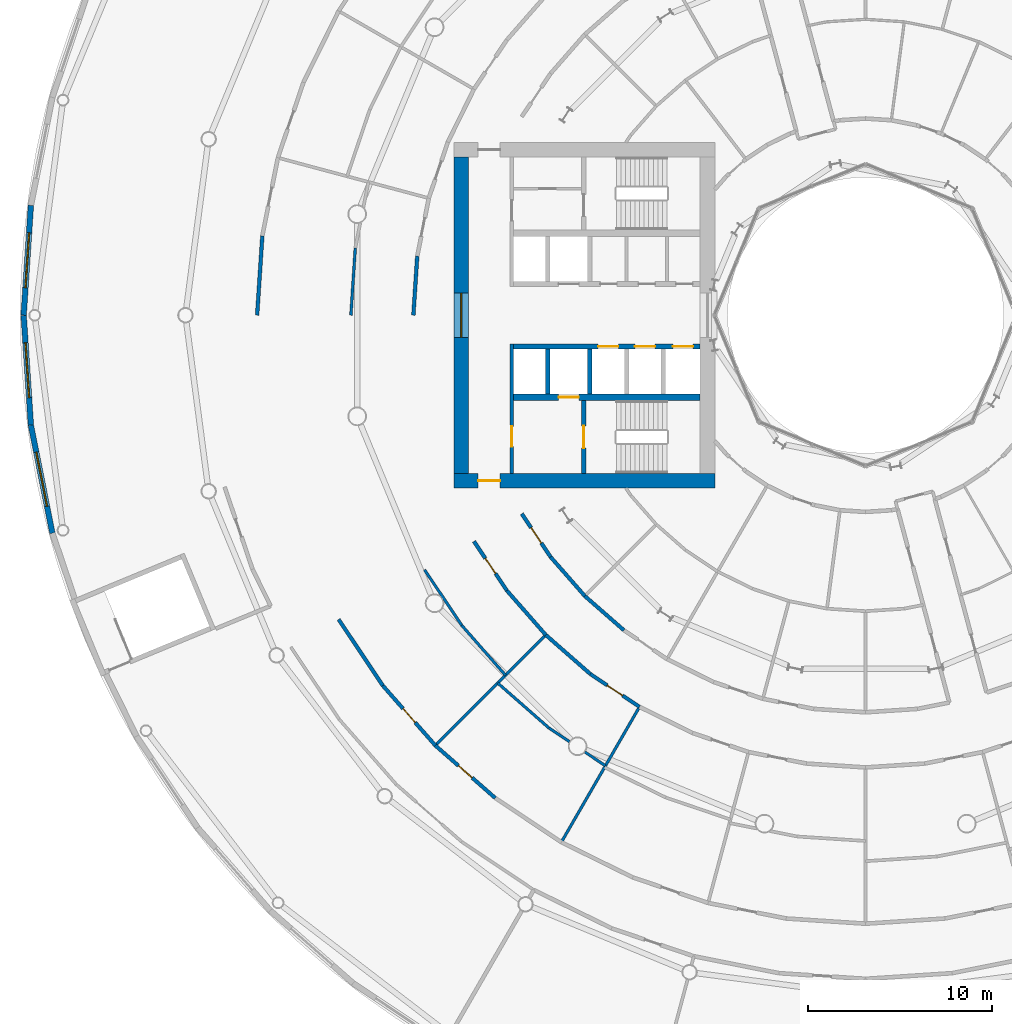
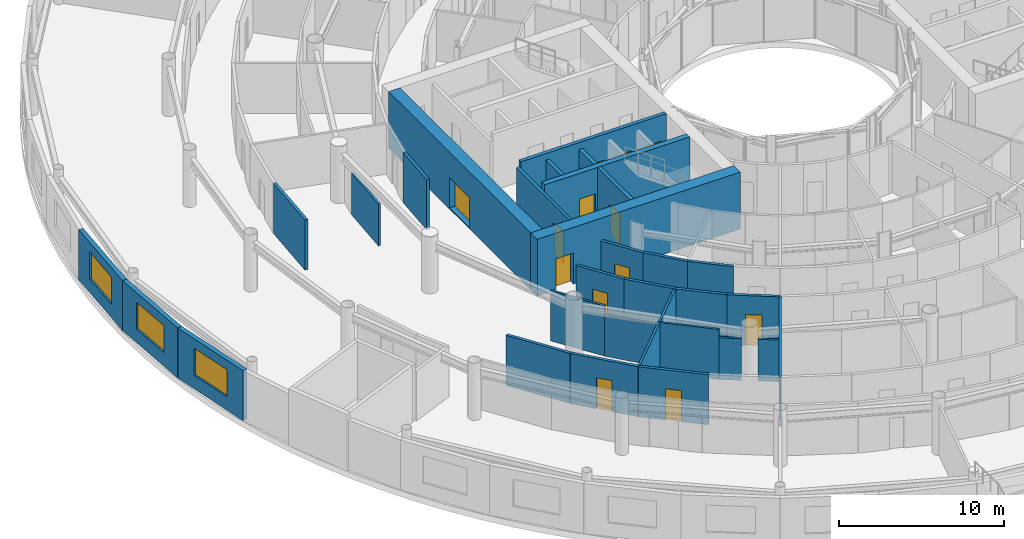
# One storey, part 14 of 29: 31 walls, 12 doors, 4 windows, 16 openings.
"""IFC4 building model written with IfcOpenShell, lengths in metres."""

from ifc_helpers import new_model, si_unit, direction, frame, frame_2d, origin, place, context, subcontext, project, spatial, rectangle, extrude, material, layer, layer_set, type_object, element, fill, save


model = new_model("IFC4")

# Units and contexts
model_context = context("Model", 3, precision=1e-05, world=origin(), true_north=direction((0.0, 1.0)))
body_context = subcontext(model_context, "Body", "Model", "MODEL_VIEW")
ifc_project = project(units=[si_unit("LENGTHUNIT", "METRE"), si_unit("AREAUNIT", "SQUARE_METRE"), si_unit("VOLUMEUNIT", "CUBIC_METRE"), si_unit("PLANEANGLEUNIT", "RADIAN"), si_unit("MASSUNIT", "GRAM", prefix="KILO")], contexts=[model_context])

# Site, building, storey
site_placement = place(None, origin())
site = spatial("IfcSite", under=ifc_project, at=site_placement, CompositionType="ELEMENT")
building_placement = place(site_placement, origin())
building = spatial("IfcBuilding", under=site, at=building_placement, Name="Maasbend Ring Residences", CompositionType="ELEMENT")
storey_placement = place(building_placement, frame((0.0, 0.0, 5.39990234375)))
storey = spatial("IfcBuildingStorey", under=building, at=storey_placement, Name="L01", CompositionType="ELEMENT", Elevation=5.39990234375)

# Wall, openings, doors
ifc_material_1 = material(Name="Concrete C70/85", Category="concrete")
ifc_layer_1 = layer(ifc_material_1, 0.25)
ifc_layer_set_1 = layer_set([ifc_layer_1], Name="Concrete C70/85")
wall_type_1 = type_object("IfcWallType", Name="CORE WALL 250 C70/85", PredefinedType="SHEAR", material=ifc_layer_set_1)
wall_1_placement = place(storey_placement, frame((-9.0, -1.699951171875, 0.0), z_axis=(0.0, 0.0, 1.0), x_axis=(-1.0, 0.0, 0.0)))
wall_1 = element("IfcWall", 1, at=wall_1_placement, inside=storey, type_object=wall_type_1, Name="L01 core W wall SPN", PredefinedType="SHEAR", context=body_context, shape_type="SweptSolid", body=[
    extrude(rectangle(XDim=10.14990234375, YDim=0.25, at=frame_2d((5.074951171875, 0.0))), origin(), (0.0, 0.0, 1.0), 4.2001953125),
])
opening_1_placement = place(wall_1_placement, frame((0.387451171875, 0.0, 0.0)))
opening_1 = element("IfcOpeningElement", 2, at=opening_1_placement, cuts=wall_1, Name="Opening LD-W0101", PredefinedType="OPENING", context=body_context, shape_type="SweptSolid", body=[
    extrude(rectangle(XDim=1.10009765625, YDim=2.300048828125, at=frame_2d((0.550048828125, 1.14990234375))), frame((0.0, 0.135009765625, 0.0), z_axis=(0.0, -1.0, 0.0), x_axis=(1.0, 0.0, 0.0)), (0.0, 0.0, 1.0), 0.27001953125),
])
opening_2_placement = place(wall_1_placement, frame((2.449951171875, 0.0, 0.0)))
opening_2 = element("IfcOpeningElement", 3, at=opening_2_placement, cuts=wall_1, Name="Opening LD-W0102", PredefinedType="OPENING", context=body_context, shape_type="SweptSolid", body=[
    extrude(rectangle(XDim=1.10009765625, YDim=2.300048828125, at=frame_2d((0.550048828125, 1.14990234375))), frame((0.0, 0.135009765625, 0.0), z_axis=(0.0, -1.0, 0.0), x_axis=(1.0, 0.0, 0.0)), (0.0, 0.0, 1.0), 0.27001953125),
])
opening_3_placement = place(wall_1_placement, frame((4.449951171875, 0.0, 0.0)))
opening_3 = element("IfcOpeningElement", 4, at=opening_3_placement, cuts=wall_1, Name="Opening LD-W0103", PredefinedType="OPENING", context=body_context, shape_type="SweptSolid", body=[
    extrude(rectangle(XDim=1.10009765625, YDim=2.300048828125, at=frame_2d((0.550048828125, 1.14990234375))), frame((0.0, 0.135009765625, 0.0), z_axis=(0.0, -1.0, 0.0), x_axis=(1.0, 0.0, 0.0)), (0.0, 0.0, 1.0), 0.27001953125),
])
ifc_material_2 = material(Name="Stainless steel 316", Category="steel")
door_type_1 = type_object("IfcDoorType", Name="LANDING DOOR 1100 X 2300 FD60", OperationType="DOUBLE_DOOR_SLIDING", PredefinedType="DOOR", material=ifc_material_2)
door_1_placement = place(opening_1_placement, origin())
door_1 = element("IfcDoor", 5, at=door_1_placement, inside=storey, type_object=door_type_1, Name="Landing door LR-W1 L01", OperationType="DOUBLE_DOOR_SLIDING", OverallHeight=2.300048828125, OverallWidth=1.10009765625, PredefinedType="DOOR", context=body_context, shape_type="SweptSolid", body=[
    extrude(rectangle(XDim=1.10009765625, YDim=2.300048828125, at=frame_2d((0.550048828125, 1.14990234375))), frame((0.0, 0.02490234375, 0.0), z_axis=(0.0, -1.0, 0.0), x_axis=(1.0, 0.0, 0.0)), (0.0, 0.0, 1.0), 0.050048828125),
])
fill(opening_1, door_1)
door_2_placement = place(opening_2_placement, origin())
door_2 = element("IfcDoor", 6, at=door_2_placement, inside=storey, type_object=door_type_1, Name="Landing door LR-W2 L01", OperationType="DOUBLE_DOOR_SLIDING", OverallHeight=2.300048828125, OverallWidth=1.10009765625, PredefinedType="DOOR", context=body_context, shape_type="SweptSolid", body=[
    extrude(rectangle(XDim=1.10009765625, YDim=2.300048828125, at=frame_2d((0.550048828125, 1.14990234375))), frame((0.0, 0.02490234375, 0.0), z_axis=(0.0, -1.0, 0.0), x_axis=(1.0, 0.0, 0.0)), (0.0, 0.0, 1.0), 0.050048828125),
])
fill(opening_2, door_2)
door_3_placement = place(opening_3_placement, origin())
door_3 = element("IfcDoor", 7, at=door_3_placement, inside=storey, type_object=door_type_1, Name="Landing door LR-W3 L01", OperationType="DOUBLE_DOOR_SLIDING", OverallHeight=2.300048828125, OverallWidth=1.10009765625, PredefinedType="DOOR", context=body_context, shape_type="SweptSolid", body=[
    extrude(rectangle(XDim=1.10009765625, YDim=2.300048828125, at=frame_2d((0.550048828125, 1.14990234375))), frame((0.0, 0.02490234375, 0.0), z_axis=(0.0, -1.0, 0.0), x_axis=(1.0, 0.0, 0.0)), (0.0, 0.0, 1.0), 0.050048828125),
])
fill(opening_3, door_3)

# Wall, opening, door
wall_2_placement = place(storey_placement, frame((-15.324951171875, -4.64990234375, 0.0), z_axis=(0.0, 0.0, 1.0), x_axis=(0.0, -1.0, 0.0)))
wall_2 = element("IfcWall", 8, at=wall_2_placement, inside=storey, type_object=wall_type_1, Name="L01 core W wall STEN", PredefinedType="SHEAR", context=body_context, shape_type="SweptSolid", body=[
    extrude(rectangle(XDim=3.9501953125, YDim=0.25, at=frame_2d((1.97509765625, 0.0))), origin(), (0.0, 0.0, 1.0), 4.2001953125),
])
opening_4_placement = place(wall_2_placement, frame((1.375, 0.0, 0.0)))
opening_4 = element("IfcOpeningElement", 9, at=opening_4_placement, cuts=wall_2, Name="Opening D-W0110", PredefinedType="OPENING", context=body_context, shape_type="SweptSolid", body=[
    extrude(rectangle(XDim=1.199951171875, YDim=2.300048828125, at=frame_2d((0.60009765625, 1.14990234375))), frame((0.0, 0.135009765625, 0.0), z_axis=(0.0, -1.0, 0.0), x_axis=(1.0, 0.0, 0.0)), (0.0, 0.0, 1.0), 0.27001953125),
])
ifc_material_3 = material(Name="Steel, powder coated", Category="steel")
door_type_2 = type_object("IfcDoorType", Name="STAIR DOOR 1200 X 2300 FD60", OperationType="NOTDEFINED", PredefinedType="DOOR", material=ifc_material_3)
door_4_placement = place(opening_4_placement, origin())
door_4 = element("IfcDoor", 10, at=door_4_placement, inside=storey, type_object=door_type_2, Name="Stair door ST-W L01", OperationType="SINGLE_SWING_LEFT", OverallHeight=2.300048828125, OverallWidth=1.199951171875, PredefinedType="DOOR", context=body_context, shape_type="SweptSolid", body=[
    extrude(rectangle(XDim=1.199951171875, YDim=2.300048828125, at=frame_2d((0.60009765625, 1.14990234375))), frame((0.0, 0.02490234375, 0.0), z_axis=(0.0, -1.0, 0.0), x_axis=(1.0, 0.0, 0.0)), (0.0, 0.0, 1.0), 0.050048828125),
])
fill(opening_4, door_4)

ifc_material_4 = material(Name="Concrete C70/85", Category="concrete")
ifc_layer_2 = layer(ifc_material_4, 0.375)
ifc_layer_set_2 = layer_set([ifc_layer_2], Name="Concrete C70/85")
wall_type_2 = type_object("IfcWallType", Name="CORE WALL 375 C70/85", PredefinedType="SHEAR", material=ifc_layer_set_2)
wall_3_placement = place(storey_placement, frame((-9.0, -4.46240234375, 0.0), z_axis=(0.0, 0.0, 1.0), x_axis=(-1.0, 0.0, 0.0)))
wall_3 = element("IfcWall", 11, at=wall_3_placement, inside=storey, type_object=wall_type_2, Name="L01 core W wall BN", PredefinedType="SHEAR", context=body_context, shape_type="SweptSolid", body=[
    extrude(rectangle(XDim=10.14990234375, YDim=0.375, at=frame_2d((5.074951171875, 0.0))), origin(), (0.0, 0.0, 1.0), 4.2001953125),
])
opening_5_placement = place(wall_3_placement, frame((6.60009765625, 0.0, 0.0)))
opening_5 = element("IfcOpeningElement", 12, at=opening_5_placement, cuts=wall_3, Name="Opening LD-W0104", PredefinedType="OPENING", context=body_context, shape_type="SweptSolid", body=[
    extrude(rectangle(XDim=1.10009765625, YDim=2.300048828125, at=frame_2d((0.550048828125, 1.14990234375))), frame((0.0, 0.197509765625, 0.0), z_axis=(0.0, -1.0, 0.0), x_axis=(1.0, 0.0, 0.0)), (0.0, 0.0, 1.0), 0.39501953125),
])
door_5_placement = place(opening_5_placement, origin())
door_5 = element("IfcDoor", 13, at=door_5_placement, inside=storey, type_object=door_type_1, Name="Landing door FF-W L01", OperationType="DOUBLE_DOOR_SLIDING", OverallHeight=2.300048828125, OverallWidth=1.10009765625, PredefinedType="DOOR", context=body_context, shape_type="SweptSolid", body=[
    extrude(rectangle(XDim=1.10009765625, YDim=2.300048828125, at=frame_2d((0.550048828125, 1.14990234375))), frame((0.0, 0.02490234375, 0.0), z_axis=(0.0, -1.0, 0.0), x_axis=(1.0, 0.0, 0.0)), (0.0, 0.0, 1.0), 0.050048828125),
])
fill(opening_5, door_5)

ifc_material_5 = material(Name="Concrete C70/85", Category="concrete")
ifc_layer_3 = layer(ifc_material_5, 0.800048828125)
ifc_layer_set_3 = layer_set([ifc_layer_3], Name="Concrete C70/85")
wall_type_3 = type_object("IfcWallType", Name="CORE WALL 800 C70/85", PredefinedType="SHEAR", material=ifc_layer_set_3)
wall_4_placement = place(storey_placement, frame((-22.39990234375, -9.0, 0.0), z_axis=(0.0, 0.0, 1.0), x_axis=(1.0, 0.0, 0.0)))
wall_4 = element("IfcWall", 14, at=wall_4_placement, inside=storey, type_object=wall_type_3, Name="L01 core W wall PN", PredefinedType="SHEAR", context=body_context, shape_type="SweptSolid", body=[
    extrude(rectangle(XDim=14.199951171875, YDim=0.800048828125, at=frame_2d((7.10009765625, 0.0))), origin(), (0.0, 0.0, 1.0), 4.2001953125),
])
opening_6_placement = place(wall_4_placement, frame((1.324951171875, 0.0, 0.0)))
opening_6 = element("IfcOpeningElement", 15, at=opening_6_placement, cuts=wall_4, Name="Opening D-W0114", PredefinedType="OPENING", context=body_context, shape_type="SweptSolid", body=[
    extrude(rectangle(XDim=1.199951171875, YDim=2.300048828125, at=frame_2d((0.60009765625, 1.14990234375))), frame((0.0, 0.41015625, 0.0), z_axis=(0.0, -1.0, 0.0), x_axis=(1.0, 0.0, 0.0)), (0.0, 0.0, 1.0), 0.820068359375),
])
ifc_material_6 = material(Name="Steel, powder coated", Category="steel")
door_type_3 = type_object("IfcDoorType", Name="CORRIDOR DOOR 1200 X 2300 FD30S", OperationType="NOTDEFINED", PredefinedType="DOOR", material=ifc_material_6)
door_6_placement = place(opening_6_placement, origin())
door_6 = element("IfcDoor", 16, at=door_6_placement, inside=storey, type_object=door_type_3, Name="Corridor door L01", OperationType="SINGLE_SWING_RIGHT", OverallHeight=2.300048828125, OverallWidth=1.199951171875, PredefinedType="DOOR", context=body_context, shape_type="SweptSolid", body=[
    extrude(rectangle(XDim=1.199951171875, YDim=2.300048828125, at=frame_2d((0.60009765625, 1.14990234375))), frame((0.0, 0.02490234375, 0.0), z_axis=(0.0, -1.0, 0.0), x_axis=(1.0, 0.0, 0.0)), (0.0, 0.0, 1.0), 0.050048828125),
])
fill(opening_6, door_6)

# Wall, opening, window
wall_5_placement = place(storey_placement, frame((-22.0, 8.60009765625, 0.0), z_axis=(0.0, 0.0, 1.0), x_axis=(0.0, -1.0, 0.0)))
wall_5 = element("IfcWall", 17, at=wall_5_placement, inside=storey, type_object=wall_type_3, Name="L01 core W wall POUT", PredefinedType="SHEAR", context=body_context, shape_type="SweptSolid", body=[
    extrude(rectangle(XDim=17.2001953125, YDim=0.800048828125, at=frame_2d((8.60009765625, 0.0))), origin(), (0.0, 0.0, 1.0), 4.2001953125),
])
opening_7_placement = place(wall_5_placement, frame((7.39990234375, 0.0, 0.10009765625)))
opening_7 = element("IfcOpeningElement", 18, at=opening_7_placement, cuts=wall_5, Name="Opening W-W0102", PredefinedType="OPENING", context=body_context, shape_type="SweptSolid", body=[
    extrude(rectangle(XDim=2.39990234375, YDim=2.199951171875, at=frame_2d((1.199951171875, 1.10009765625))), frame((0.0, 0.41015625, 0.0), z_axis=(0.0, -1.0, 0.0), x_axis=(1.0, 0.0, 0.0)), (0.0, 0.0, 1.0), 0.820068359375),
])
ifc_material_7 = material(Name="Aluminium frame and clear glass", Category="aluminium")
window_type_1 = type_object("IfcWindowType", Name="FIXED WINDOW 2400 X 2200", PartitioningType="SINGLE_PANEL", PredefinedType="WINDOW", material=ifc_material_7)
window_1_placement = place(opening_7_placement, origin())
window_1 = element("IfcWindow", 19, at=window_1_placement, inside=storey, type_object=window_type_1, Name="Lobby window L01", OverallHeight=2.199951171875, OverallWidth=2.39990234375, PartitioningType="SINGLE_PANEL", PredefinedType="WINDOW", context=body_context, shape_type="SweptSolid", body=[
    extrude(rectangle(XDim=2.39990234375, YDim=2.199951171875, at=frame_2d((1.199951171875, 1.10009765625))), frame((0.0, 0.030029296875, 0.0), z_axis=(0.0, -1.0, 0.0), x_axis=(1.0, 0.0, 0.0)), (0.0, 0.0, 1.0), 0.06005859375),
])
fill(opening_7, window_1)

# Wall
ifc_material_8 = material(Name="Concrete C30/37", Category="concrete")
ifc_layer_4 = layer(ifc_material_8, 0.199951171875)
ifc_layer_set_4 = layer_set([ifc_layer_4], Name="Concrete C30/37")
wall_type_4 = type_object("IfcWallType", Name="CORRIDOR WALL 200 CONCRETE", PredefinedType="PARTITIONING", material=ifc_layer_set_4)
wall_6_placement = place(storey_placement, frame((-28.6650390625, -16.550048828125, 0.0), z_axis=(0.0, 0.0, 1.0), x_axis=(0.555519783102, -0.831503319646, 0.0)))
element("IfcWall", 20, at=wall_6_placement, inside=storey, type_object=wall_type_4, Name="U-L01-w023", PredefinedType="PARTITIONING", context=body_context, shape_type="SweptSolid", body=[
    extrude(rectangle(XDim=4.329345703125, YDim=0.199951171875, at=frame_2d((2.16455078125, 0.0))), origin(), (0.0, 0.0, 1.0), 3.7001953125),
])

# Wall, opening, door
wall_7_placement = place(storey_placement, frame((-26.260009765625, -20.14990234375, 0.0), z_axis=(0.0, 0.0, 1.0), x_axis=(0.659386383125, -0.75180422834, 0.0)))
wall_7 = element("IfcWall", 21, at=wall_7_placement, inside=storey, type_object=wall_type_4, Name="U-L01-w024", PredefinedType="PARTITIONING", context=body_context, shape_type="SweptSolid", body=[
    extrude(rectangle(XDim=4.329833984375, YDim=0.199951171875, at=frame_2d((2.1650390625, 0.0))), origin(), (0.0, 0.0, 1.0), 3.7001953125),
])
opening_8_placement = place(wall_7_placement, frame((1.6650390625, 0.0, 0.0)))
opening_8 = element("IfcOpeningElement", 22, at=opening_8_placement, cuts=wall_7, Name="Opening D-0155", PredefinedType="OPENING", context=body_context, shape_type="SweptSolid", body=[
    extrude(rectangle(XDim=1.0, YDim=2.300048828125, at=frame_2d((0.5, 1.14990234375))), frame((0.0, 0.10986328125, 0.0), z_axis=(0.0, -1.0, 0.0), x_axis=(1.0, 0.0, 0.0)), (0.0, 0.0, 1.0), 0.219970703125),
])
ifc_material_9 = material(Name="Timber, painted", Category="wood")
door_type_4 = type_object("IfcDoorType", Name="ROOM DOOR 1000 X 2300", OperationType="NOTDEFINED", PredefinedType="DOOR", material=ifc_material_9)
door_7_placement = place(opening_8_placement, origin())
door_7 = element("IfcDoor", 23, at=door_7_placement, inside=storey, type_object=door_type_4, Name="D-0155", OperationType="SINGLE_SWING_LEFT", OverallHeight=2.300048828125, OverallWidth=1.0, PredefinedType="DOOR", context=body_context, shape_type="SweptSolid", body=[
    extrude(rectangle(XDim=1.0, YDim=2.300048828125, at=frame_2d((0.5, 1.14990234375))), frame((0.0, 0.02490234375, 0.0), z_axis=(0.0, -1.0, 0.0), x_axis=(1.0, 0.0, 0.0)), (0.0, 0.0, 1.0), 0.050048828125),
])
fill(opening_8, door_7)

wall_8_placement = place(storey_placement, frame((-23.405029296875, -23.405029296875, 0.0), z_axis=(0.0, 0.0, 1.0), x_axis=(0.75180422834, -0.659386383125, 0.0)))
wall_8 = element("IfcWall", 24, at=wall_8_placement, inside=storey, type_object=wall_type_4, Name="U-L01-w025", PredefinedType="PARTITIONING", context=body_context, shape_type="SweptSolid", body=[
    extrude(rectangle(XDim=4.329833984375, YDim=0.199951171875, at=frame_2d((2.1650390625, 0.0))), origin(), (0.0, 0.0, 1.0), 3.7001953125),
])
opening_9_placement = place(wall_8_placement, frame((1.6650390625, 0.0, 0.0)))
opening_9 = element("IfcOpeningElement", 25, at=opening_9_placement, cuts=wall_8, Name="Opening D-0157", PredefinedType="OPENING", context=body_context, shape_type="SweptSolid", body=[
    extrude(rectangle(XDim=1.0, YDim=2.300048828125, at=frame_2d((0.5, 1.14990234375))), frame((0.0, 0.10986328125, 0.0), z_axis=(0.0, -1.0, 0.0), x_axis=(1.0, 0.0, 0.0)), (0.0, 0.0, 1.0), 0.219970703125),
])
door_8_placement = place(opening_9_placement, origin())
door_8 = element("IfcDoor", 26, at=door_8_placement, inside=storey, type_object=door_type_4, Name="D-0157", OperationType="SINGLE_SWING_LEFT", OverallHeight=2.300048828125, OverallWidth=1.0, PredefinedType="DOOR", context=body_context, shape_type="SweptSolid", body=[
    extrude(rectangle(XDim=1.0, YDim=2.300048828125, at=frame_2d((0.5, 1.14990234375))), frame((0.0, 0.02490234375, 0.0), z_axis=(0.0, -1.0, 0.0), x_axis=(1.0, 0.0, 0.0)), (0.0, 0.0, 1.0), 0.050048828125),
])
fill(opening_9, door_8)

wall_9_placement = place(storey_placement, frame((-21.303955078125, -12.300048828125, 0.0), z_axis=(0.0, 0.0, 1.0), x_axis=(0.555522714148, -0.831501361433, 0.0)))
wall_9 = element("IfcWall", 27, at=wall_9_placement, inside=storey, type_object=wall_type_4, Name="U-L01-w058", PredefinedType="PARTITIONING", context=body_context, shape_type="SweptSolid", body=[
    extrude(rectangle(XDim=3.21826171875, YDim=0.199951171875, at=frame_2d((1.609130859375, 0.0))), origin(), (0.0, 0.0, 1.0), 3.7001953125),
])
opening_10_placement = place(wall_9_placement, frame((1.10888671875, 0.0, 0.0)))
opening_10 = element("IfcOpeningElement", 28, at=opening_10_placement, cuts=wall_9, Name="Opening D-0154", PredefinedType="OPENING", context=body_context, shape_type="SweptSolid", body=[
    extrude(rectangle(XDim=1.0, YDim=2.300048828125, at=frame_2d((0.5, 1.14990234375))), frame((0.0, 0.10986328125, 0.0), z_axis=(0.0, -1.0, 0.0), x_axis=(1.0, 0.0, 0.0)), (0.0, 0.0, 1.0), 0.219970703125),
])
door_9_placement = place(opening_10_placement, origin())
door_9 = element("IfcDoor", 29, at=door_9_placement, inside=storey, type_object=door_type_4, Name="D-0154", OperationType="SINGLE_SWING_RIGHT", OverallHeight=2.300048828125, OverallWidth=1.0, PredefinedType="DOOR", context=body_context, shape_type="SweptSolid", body=[
    extrude(rectangle(XDim=1.0, YDim=2.300048828125, at=frame_2d((0.5, 1.14990234375))), frame((0.0, 0.02490234375, 0.0), z_axis=(0.0, -1.0, 0.0), x_axis=(1.0, 0.0, 0.0)), (0.0, 0.0, 1.0), 0.050048828125),
])
fill(opening_10, door_9)

# Walls
for number, where, z_axis, x_axis, name in (
    (30, (-19.51611328125, -14.97607421875, 0.0), (0.0, 0.0, 1.0), (0.659299366608, -0.751880539175, 0.0), "U-L01-w059"),
    (31, (-17.39501953125, -17.39501953125, 0.0), (0.0, 0.0, 1.0), (0.751880539175, -0.659299366608, 0.0), "U-L01-w060"),
):
    element("IfcWall", number, at=place(storey_placement, frame(where, z_axis=z_axis, x_axis=x_axis)), inside=storey, type_object=wall_type_4, Name=name, PredefinedType="PARTITIONING", context=body_context, shape_type="SweptSolid", body=[
        extrude(rectangle(XDim=3.21728515625, YDim=0.199951171875, at=frame_2d((1.608642578125, 0.0))), origin(), (0.0, 0.0, 1.0), 3.7001953125),
    ])

# Wall, opening, door
wall_10_placement = place(storey_placement, frame((-14.97607421875, -19.51611328125, 0.0), z_axis=(0.0, 0.0, 1.0), x_axis=(0.831501361433, -0.555522714148, 0.0)))
wall_10 = element("IfcWall", 32, at=wall_10_placement, inside=storey, type_object=wall_type_4, Name="U-L01-w061", PredefinedType="PARTITIONING", context=body_context, shape_type="SweptSolid", body=[
    extrude(rectangle(XDim=3.21826171875, YDim=0.199951171875, at=frame_2d((1.609130859375, 0.0))), origin(), (0.0, 0.0, 1.0), 3.7001953125),
])
opening_11_placement = place(wall_10_placement, frame((1.10888671875, 0.0, 0.0)))
opening_11 = element("IfcOpeningElement", 33, at=opening_11_placement, cuts=wall_10, Name="Opening D-0156", PredefinedType="OPENING", context=body_context, shape_type="SweptSolid", body=[
    extrude(rectangle(XDim=1.0, YDim=2.300048828125, at=frame_2d((0.5, 1.14990234375))), frame((0.0, 0.10986328125, 0.0), z_axis=(0.0, -1.0, 0.0), x_axis=(1.0, 0.0, 0.0)), (0.0, 0.0, 1.0), 0.219970703125),
])
door_10_placement = place(opening_11_placement, origin())
door_10 = element("IfcDoor", 34, at=door_10_placement, inside=storey, type_object=door_type_4, Name="D-0156", OperationType="SINGLE_SWING_RIGHT", OverallHeight=2.300048828125, OverallWidth=1.0, PredefinedType="DOOR", context=body_context, shape_type="SweptSolid", body=[
    extrude(rectangle(XDim=1.0, YDim=2.300048828125, at=frame_2d((0.5, 1.14990234375))), frame((0.0, 0.02490234375, 0.0), z_axis=(0.0, -1.0, 0.0), x_axis=(1.0, 0.0, 0.0)), (0.0, 0.0, 1.0), 0.050048828125),
])
fill(opening_11, door_10)

wall_11_placement = place(storey_placement, frame((-18.7060546875, -10.800048828125, 0.0), z_axis=(0.0, 0.0, 1.0), x_axis=(0.55571678686, -0.831371669473, 0.0)))
wall_11 = element("IfcWall", 35, at=wall_11_placement, inside=storey, type_object=wall_type_4, Name="U-L01-w074", PredefinedType="PARTITIONING", context=body_context, shape_type="SweptSolid", body=[
    extrude(rectangle(XDim=2.8251953125, YDim=0.199951171875, at=frame_2d((1.41259765625, 0.0))), origin(), (0.0, 0.0, 1.0), 3.7001953125),
])
opening_12_placement = place(wall_11_placement, frame((0.9130859375, 0.0, 0.0)))
opening_12 = element("IfcOpeningElement", 36, at=opening_12_placement, cuts=wall_11, Name="Opening D-0122", PredefinedType="OPENING", context=body_context, shape_type="SweptSolid", body=[
    extrude(rectangle(XDim=1.0, YDim=2.300048828125, at=frame_2d((0.5, 1.14990234375))), frame((0.0, 0.10986328125, 0.0), z_axis=(0.0, -1.0, 0.0), x_axis=(1.0, 0.0, 0.0)), (0.0, 0.0, 1.0), 0.219970703125),
])
door_11_placement = place(opening_12_placement, origin())
door_11 = element("IfcDoor", 37, at=door_11_placement, inside=storey, type_object=door_type_4, Name="D-0122", OperationType="SINGLE_SWING_LEFT", OverallHeight=2.300048828125, OverallWidth=1.0, PredefinedType="DOOR", context=body_context, shape_type="SweptSolid", body=[
    extrude(rectangle(XDim=1.0, YDim=2.300048828125, at=frame_2d((0.5, 1.14990234375))), frame((0.0, 0.02490234375, 0.0), z_axis=(0.0, -1.0, 0.0), x_axis=(1.0, 0.0, 0.0)), (0.0, 0.0, 1.0), 0.050048828125),
])
fill(opening_12, door_11)

# Walls
for number, where, z_axis, x_axis, name in (
    (38, (-17.135986328125, -13.14892578125, 0.0), (0.0, 0.0, 1.0), (0.659042776199, -0.752105457459, 0.0), "U-L01-w075"),
    (39, (-15.27392578125, -15.27392578125, 0.0), (0.0, 0.0, 1.0), (0.752105457459, -0.659042776199, 0.0), "U-L01-w076"),
):
    element("IfcWall", number, at=place(storey_placement, frame(where, z_axis=z_axis, x_axis=x_axis)), inside=storey, type_object=wall_type_4, Name=name, PredefinedType="PARTITIONING", context=body_context, shape_type="SweptSolid", body=[
        extrude(rectangle(XDim=2.825439453125, YDim=0.199951171875, at=frame_2d((1.41259765625, 0.0))), origin(), (0.0, 0.0, 1.0), 3.7001953125),
    ])
wall_12_placement = place(storey_placement, frame((-24.60009765625, 0.0, 0.0), z_axis=(0.0, 0.0, 1.0), x_axis=(0.06532549509, 0.997864008616, 0.0)))
element("IfcWall", 40, at=wall_12_placement, inside=storey, type_object=wall_type_4, Name="U-L01-w240", PredefinedType="PARTITIONING", context=body_context, shape_type="SweptSolid", body=[
    extrude(rectangle(XDim=3.2177734375, YDim=0.199951171875, at=frame_2d((1.60888671875, 0.0))), origin(), (0.0, 0.0, 1.0), 3.7001953125),
])
wall_13_placement = place(storey_placement, frame((-33.10009765625, 0.0, 0.0), z_axis=(0.0, 0.0, 1.0), x_axis=(0.065414832499, 0.997858156097, 0.0)))
element("IfcWall", 41, at=wall_13_placement, inside=storey, type_object=wall_type_4, Name="U-L01-w283", PredefinedType="PARTITIONING", context=body_context, shape_type="SweptSolid", body=[
    extrude(rectangle(XDim=4.329345703125, YDim=0.199951171875, at=frame_2d((2.16455078125, 0.0))), origin(), (0.0, 0.0, 1.0), 3.7001953125),
])

# Wall, opening, window
ifc_material_10 = material(Name="Pale anodised aluminium panel", Category="aluminium")
ifc_layer_5 = layer(ifc_material_10, 0.300048828125)
ifc_layer_set_5 = layer_set([ifc_layer_5], Name="EW-BASE")
wall_type_5 = type_object("IfcWallType", Name="EW-BASE", PredefinedType="SOLIDWALL", material=ifc_layer_set_5)
wall_14_placement = place(storey_placement, frame((-45.407958984375, 5.97802734375, 0.0), z_axis=(0.0, 0.0, 1.0), x_axis=(-0.065447877106, -0.9978559893, 0.0)))
wall_14 = element("IfcWall", 42, at=wall_14_placement, inside=storey, type_object=wall_type_5, Name="Base block wall 24", PredefinedType="SOLIDWALL", context=body_context, shape_type="SweptSolid", body=[
    extrude(rectangle(XDim=5.990966796875, YDim=0.300048828125, at=frame_2d((2.99560546875, 0.0))), origin(), (0.0, 0.0, 1.0), 3.7001953125),
])
opening_13_placement = place(wall_14_placement, frame((1.495361328125, 0.0, 1.0)))
opening_13 = element("IfcOpeningElement", 43, at=opening_13_placement, cuts=wall_14, Name="Opening W-PB", PredefinedType="OPENING", context=body_context, shape_type="SweptSolid", body=[
    extrude(rectangle(XDim=3.0, YDim=2.0, at=frame_2d((1.5, 1.0))), frame((0.0, 0.16015625, 0.0), z_axis=(0.0, -1.0, 0.0), x_axis=(1.0, 0.0, 0.0)), (0.0, 0.0, 1.0), 0.320068359375),
])
ifc_material_11 = material(Name="Aluminium and clear glass", Category="aluminium")
window_type_2 = type_object("IfcWindowType", Name="W-PB", PartitioningType="SINGLE_PANEL", PredefinedType="WINDOW", material=ifc_material_11)
window_2_placement = place(opening_13_placement, origin())
window_2 = element("IfcWindow", 44, at=window_2_placement, inside=storey, type_object=window_type_2, Name="Base block window 24", OverallHeight=2.0, OverallWidth=3.0, PartitioningType="SINGLE_PANEL", PredefinedType="WINDOW", context=body_context, shape_type="SweptSolid", body=[
    extrude(rectangle(XDim=3.0, YDim=2.0, at=frame_2d((1.5, 1.0))), frame((0.0, 0.030029296875, 0.0), z_axis=(0.0, -1.0, 0.0), x_axis=(1.0, 0.0, 0.0)), (0.0, 0.0, 1.0), 0.06005859375),
])
fill(opening_13, window_2)

wall_15_placement = place(storey_placement, frame((-45.800048828125, 0.0, 0.0), z_axis=(0.0, 0.0, 1.0), x_axis=(0.065447877106, -0.9978559893, 0.0)))
wall_15 = element("IfcWall", 45, at=wall_15_placement, inside=storey, type_object=wall_type_5, Name="Base block wall 25", PredefinedType="SOLIDWALL", context=body_context, shape_type="SweptSolid", body=[
    extrude(rectangle(XDim=5.990966796875, YDim=0.300048828125, at=frame_2d((2.99560546875, 0.0))), origin(), (0.0, 0.0, 1.0), 3.7001953125),
])
opening_14_placement = place(wall_15_placement, frame((1.495361328125, 0.0, 1.0)))
opening_14 = element("IfcOpeningElement", 46, at=opening_14_placement, cuts=wall_15, Name="Opening W-PB", PredefinedType="OPENING", context=body_context, shape_type="SweptSolid", body=[
    extrude(rectangle(XDim=3.0, YDim=2.0, at=frame_2d((1.5, 1.0))), frame((0.0, 0.16015625, 0.0), z_axis=(0.0, -1.0, 0.0), x_axis=(1.0, 0.0, 0.0)), (0.0, 0.0, 1.0), 0.320068359375),
])
window_3_placement = place(opening_14_placement, origin())
window_3 = element("IfcWindow", 47, at=window_3_placement, inside=storey, type_object=window_type_2, Name="Base block window 25", OverallHeight=2.0, OverallWidth=3.0, PartitioningType="SINGLE_PANEL", PredefinedType="WINDOW", context=body_context, shape_type="SweptSolid", body=[
    extrude(rectangle(XDim=3.0, YDim=2.0, at=frame_2d((1.5, 1.0))), frame((0.0, 0.030029296875, 0.0), z_axis=(0.0, -1.0, 0.0), x_axis=(1.0, 0.0, 0.0)), (0.0, 0.0, 1.0), 0.06005859375),
])
fill(opening_14, window_3)

wall_16_placement = place(storey_placement, frame((-45.407958984375, -5.97802734375, 0.0), z_axis=(0.0, 0.0, 1.0), x_axis=(0.195112945602, -0.980780780021, 0.0)))
wall_16 = element("IfcWall", 48, at=wall_16_placement, inside=storey, type_object=wall_type_5, Name="Base block wall 26", PredefinedType="SOLIDWALL", context=body_context, shape_type="SweptSolid", body=[
    extrude(rectangle(XDim=5.9912109375, YDim=0.300048828125, at=frame_2d((2.99560546875, 0.0))), origin(), (0.0, 0.0, 1.0), 3.7001953125),
])
opening_15_placement = place(wall_16_placement, frame((1.495361328125, 0.0, 1.0)))
opening_15 = element("IfcOpeningElement", 49, at=opening_15_placement, cuts=wall_16, Name="Opening W-PB", PredefinedType="OPENING", context=body_context, shape_type="SweptSolid", body=[
    extrude(rectangle(XDim=3.0, YDim=2.0, at=frame_2d((1.5, 1.0))), frame((0.0, 0.16015625, 0.0), z_axis=(0.0, -1.0, 0.0), x_axis=(1.0, 0.0, 0.0)), (0.0, 0.0, 1.0), 0.320068359375),
])
window_4_placement = place(opening_15_placement, origin())
window_4 = element("IfcWindow", 50, at=window_4_placement, inside=storey, type_object=window_type_2, Name="Base block window 26", OverallHeight=2.0, OverallWidth=3.0, PartitioningType="SINGLE_PANEL", PredefinedType="WINDOW", context=body_context, shape_type="SweptSolid", body=[
    extrude(rectangle(XDim=3.0, YDim=2.0, at=frame_2d((1.5, 1.0))), frame((0.0, 0.030029296875, 0.0), z_axis=(0.0, -1.0, 0.0), x_axis=(1.0, 0.0, 0.0)), (0.0, 0.0, 1.0), 0.06005859375),
])
fill(opening_15, window_4)

# Walls
ifc_material_12 = material(Name="Gypsum board on steel studs", Category="steel")
ifc_layer_6 = layer(ifc_material_12, 0.14990234375)
ifc_layer_set_6 = layer_set([ifc_layer_6], Name="PARTITION 150 GYPSUM")
wall_type_6 = type_object("IfcWallType", Name="PARTITION 150 GYPSUM", PredefinedType="PARTITIONING", material=ifc_layer_set_6)
wall_17_placement = place(storey_placement, frame((-20.010986328125, -20.010986328125, 0.0), z_axis=(0.0, 0.0, 1.0), x_axis=(0.751795822251, -0.659395967266, 0.0)))
element("IfcWall", 51, at=wall_17_placement, inside=storey, type_object=wall_type_6, Name="U-L01-w050", PredefinedType="PARTITIONING", context=body_context, shape_type="SweptSolid", body=[
    extrude(rectangle(XDim=3.70166015625, YDim=0.14990234375, at=frame_2d((1.850830078125, 0.0))), origin(), (0.0, 0.0, 1.0), 3.7001953125),
])
for number, where, z_axis, x_axis, name in (
    (52, (-17.22802734375, -22.451904296875, 0.0), (0.0, 0.0, 1.0), (0.83130016593, -0.555823743757, 0.0), "U-L01-w051"),
    (53, (-15.27490234375, -23.757080078125, 0.0), (0.0, 0.0, 1.0), (0.831383521609, -0.555699055242, 0.0), "U-L01-w052"),
):
    element("IfcWall", number, at=place(storey_placement, frame(where, z_axis=z_axis, x_axis=x_axis)), inside=storey, type_object=wall_type_6, Name=name, PredefinedType="PARTITIONING", context=body_context, shape_type="SweptSolid", body=[
        extrude(rectangle(XDim=1.353271484375, YDim=0.14990234375, at=frame_2d((0.6767578125, 0.0))), origin(), (0.0, 0.0, 1.0), 3.080078125),
    ])
wall_18_placement = place(storey_placement, frame((-23.989013671875, -13.85009765625, 0.0), z_axis=(0.0, 0.0, 1.0), x_axis=(0.555523997644, -0.831500503933, 0.0)))
element("IfcWall", 54, at=wall_18_placement, inside=storey, type_object=wall_type_6, Name="U-L01-w056", PredefinedType="PARTITIONING", context=body_context, shape_type="SweptSolid", body=[
    extrude(rectangle(XDim=3.62353515625, YDim=0.14990234375, at=frame_2d((1.811767578125, 0.0))), origin(), (0.0, 0.0, 1.0), 3.7001953125),
])
wall_19_placement = place(storey_placement, frame((-21.97607421875, -16.863037109375, 0.0), z_axis=(0.0, 0.0, 1.0), x_axis=(0.65940574975, -0.751787241975, 0.0)))
element("IfcWall", 55, at=wall_19_placement, inside=storey, type_object=wall_type_6, Name="U-L01-w057", PredefinedType="PARTITIONING", context=body_context, shape_type="SweptSolid", body=[
    extrude(rectangle(XDim=3.623291015625, YDim=0.14990234375, at=frame_2d((1.8115234375, 0.0))), origin(), (0.0, 0.0, 1.0), 3.080078125),
])
wall_20_placement = place(storey_placement, frame((-23.405029296875, -23.405029296875, 0.0), z_axis=(0.0, 0.0, 1.0), x_axis=(0.707106781187, 0.707106781187, 0.0)))
element("IfcWall", 56, at=wall_20_placement, inside=storey, type_object=wall_type_6, Name="U-L01-w136", PredefinedType="PARTITIONING", context=body_context, shape_type="SweptSolid", body=[
    extrude(rectangle(XDim=8.49951171875, YDim=0.14990234375, at=frame_2d((4.249755859375, 0.0))), origin(), (0.0, 0.0, 1.0), 3.7001953125),
])
wall_21_placement = place(storey_placement, frame((-16.550048828125, -28.6650390625, 0.0), z_axis=(0.0, 0.0, 1.0), x_axis=(0.500092882089, 0.865971771644, 0.0)))
element("IfcWall", 57, at=wall_21_placement, inside=storey, type_object=wall_type_6, Name="U-L01-w140", PredefinedType="PARTITIONING", context=body_context, shape_type="SweptSolid", body=[
    extrude(rectangle(XDim=8.50048828125, YDim=0.14990234375, at=frame_2d((4.250244140625, 0.0))), origin(), (0.0, 0.0, 1.0), 3.7001953125),
])
wall_22_placement = place(storey_placement, frame((-28.0, 0.0, 0.0), z_axis=(0.0, 0.0, 1.0), x_axis=(0.065519192905, 0.997851309245, 0.0)))
element("IfcWall", 58, at=wall_22_placement, inside=storey, type_object=wall_type_6, Name="U-L01-w264", PredefinedType="PARTITIONING", context=body_context, shape_type="SweptSolid", body=[
    extrude(rectangle(XDim=3.662841796875, YDim=0.14990234375, at=frame_2d((1.83154296875, 0.0))), origin(), (0.0, 0.0, 1.0), 3.080078125),
])

# Wall, opening, door
ifc_material_13 = material(Name="Concrete C30/37", Category="concrete")
ifc_layer_7 = layer(ifc_material_13, 0.199951171875)
ifc_layer_set_7 = layer_set([ifc_layer_7], Name="Concrete C30/37")
wall_type_7 = type_object("IfcWallType", Name="SHAFT WALL 200 EI 120", PredefinedType="SOLIDWALL", material=ifc_layer_set_7)
wall_23_placement = place(storey_placement, frame((-19.25, -1.574951171875, 0.0), z_axis=(0.0, 0.0, 1.0), x_axis=(0.0, -1.0, 0.0)))
wall_23 = element("IfcWall", 59, at=wall_23_placement, inside=storey, type_object=wall_type_7, Name="L01 core W wall ENDN", PredefinedType="SOLIDWALL", context=body_context, shape_type="SweptSolid", body=[
    extrude(rectangle(XDim=7.025146484375, YDim=0.199951171875, at=frame_2d((3.5126953125, 0.0))), origin(), (0.0, 0.0, 1.0), 3.7001953125),
])
opening_16_placement = place(wall_23_placement, frame((4.47509765625, 0.0, 0.0)))
opening_16 = element("IfcOpeningElement", 60, at=opening_16_placement, cuts=wall_23, Name="Opening D-W0112", PredefinedType="OPENING", context=body_context, shape_type="SweptSolid", body=[
    extrude(rectangle(XDim=1.10009765625, YDim=2.300048828125, at=frame_2d((0.550048828125, 1.14990234375))), frame((0.0, 0.10986328125, 0.0), z_axis=(0.0, -1.0, 0.0), x_axis=(1.0, 0.0, 0.0)), (0.0, 0.0, 1.0), 0.219970703125),
])
ifc_material_14 = material(Name="Steel, powder coated", Category="steel")
door_type_5 = type_object("IfcDoorType", Name="LOBBY DOOR 1100 X 2300 FD60", OperationType="NOTDEFINED", PredefinedType="DOOR", material=ifc_material_14)
door_12_placement = place(opening_16_placement, origin())
door_12 = element("IfcDoor", 61, at=door_12_placement, inside=storey, type_object=door_type_5, Name="Lobby door L01", OperationType="SINGLE_SWING_LEFT", OverallHeight=2.300048828125, OverallWidth=1.10009765625, PredefinedType="DOOR", context=body_context, shape_type="SweptSolid", body=[
    extrude(rectangle(XDim=1.10009765625, YDim=2.300048828125, at=frame_2d((0.550048828125, 1.14990234375))), frame((0.0, 0.02490234375, 0.0), z_axis=(0.0, -1.0, 0.0), x_axis=(1.0, 0.0, 0.0)), (0.0, 0.0, 1.0), 0.050048828125),
])
fill(opening_16, door_12)

# Walls
ifc_material_15 = material(Name="Concrete C30/37", Category="concrete")
ifc_layer_8 = layer(ifc_material_15, 0.25)
ifc_layer_set_8 = layer_set([ifc_layer_8], Name="Concrete C30/37")
wall_type_8 = type_object("IfcWallType", Name="SHAFT WALL 250 EI 120", PredefinedType="SOLIDWALL", material=ifc_layer_set_8)
for number, where, z_axis, x_axis, name in (
    (62, (-15.0, -1.824951171875, 0.0), (0.0, 0.0, 1.0), (0.0, -1.0, 0.0), "L01 core W wall D150N"),
    (63, (-17.300048828125, -1.824951171875, 0.0), (0.0, 0.0, 1.0), (0.0, -1.0, 0.0), "L01 core W wall D173N"),
):
    element("IfcWall", number, at=place(storey_placement, frame(where, z_axis=z_axis, x_axis=x_axis)), inside=storey, type_object=wall_type_8, Name=name, PredefinedType="SOLIDWALL", context=body_context, shape_type="SweptSolid", body=[
        extrude(rectangle(XDim=2.449951171875, YDim=0.25, at=frame_2d((1.22509765625, 0.0))), origin(), (0.0, 0.0, 1.0), 3.7001953125),
    ])

save(model, "model.ifc")
